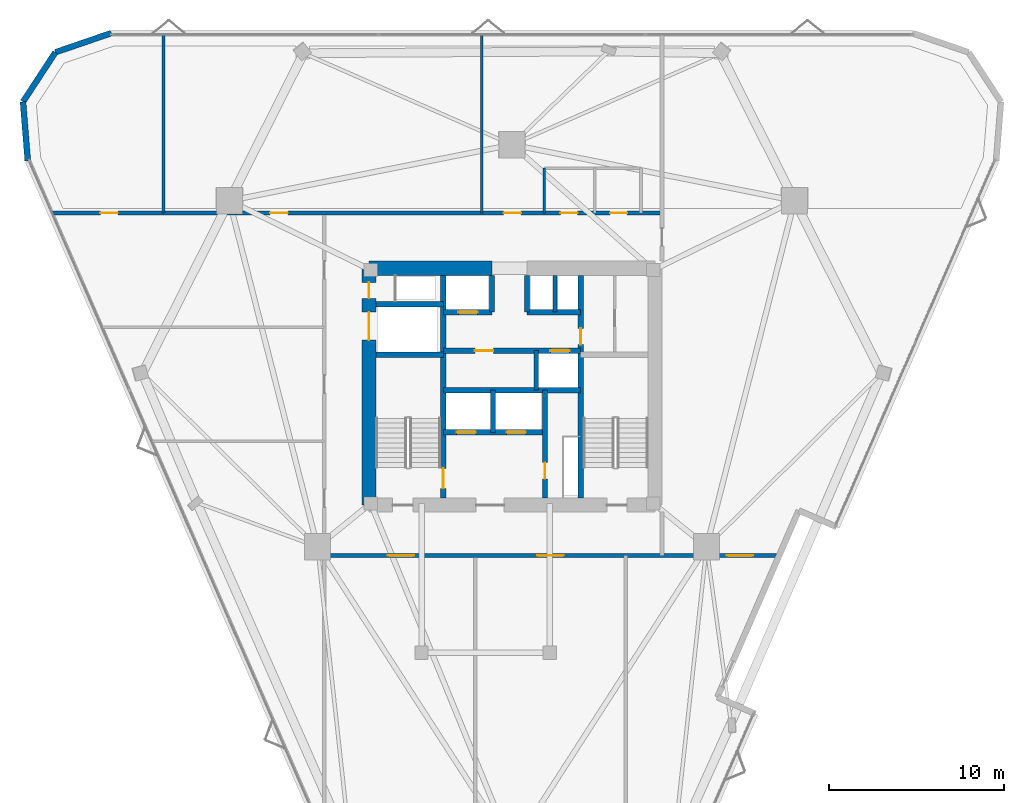
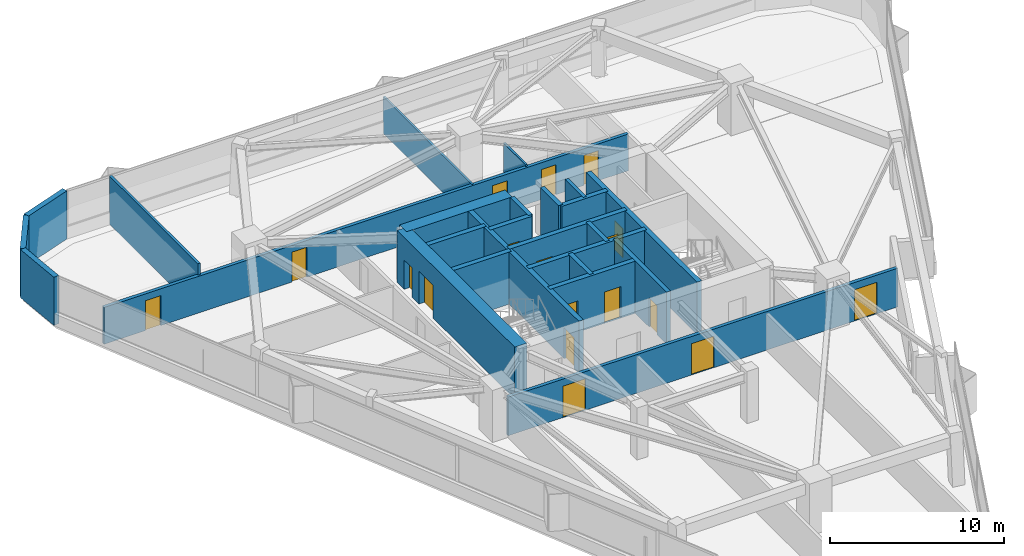
# One storey, part 8 of 12: 25 walls, 18 doors, 18 openings.
"""IFC4 building model written with IfcOpenShell, lengths in metres."""

from ifc_helpers import new_model, si_unit, direction, frame, frame_2d, origin, place, context, subcontext, project, spatial, rectangle, extrude, material, layer, layer_set, type_object, element, fill, save


model = new_model("IFC4")

# Units and contexts
model_context = context("Model", 3, precision=1e-05, world=origin(), true_north=direction((0.0, 1.0)))
body_context = subcontext(model_context, "Body", "Model", "MODEL_VIEW")
ifc_project = project(units=[si_unit("LENGTHUNIT", "METRE"), si_unit("AREAUNIT", "SQUARE_METRE"), si_unit("VOLUMEUNIT", "CUBIC_METRE"), si_unit("PLANEANGLEUNIT", "RADIAN"), si_unit("MASSUNIT", "GRAM", prefix="KILO")], contexts=[model_context])

# Site, building, storey
site_placement = place(None, origin())
site = spatial("IfcSite", under=ifc_project, at=site_placement, CompositionType="ELEMENT")
building_placement = place(site_placement, origin())
building = spatial("IfcBuilding", under=site, at=building_placement, Name="Talyreon Biosciences Tower", CompositionType="ELEMENT")
storey_placement = place(building_placement, frame((0.0, 0.0, 156.39990234375)))
storey = spatial("IfcBuildingStorey", under=building, at=storey_placement, Name="L41", CompositionType="ELEMENT", Elevation=156.39990234375)

# Walls
ifc_material_1 = material(Name="Concrete C50/60", Category="concrete")
ifc_layer_1 = layer(ifc_material_1, 0.219970703125)
ifc_layer_set_1 = layer_set([ifc_layer_1], Name="Concrete C50/60")
wall_type_1 = type_object("IfcWallType", Name="CoreShearWall_220", PredefinedType="SHEAR", material=ifc_layer_set_1)
wall_1_placement = place(storey_placement, frame((68.4599609375, 72.25, 0.0), z_axis=(0.0, 0.0, 1.0), x_axis=(0.0, 1.0, 0.0)))
element("IfcWall", 1, at=wall_1_placement, inside=storey, type_object=wall_type_1, Name="L41 Core Shaft Wall SWPHD", PredefinedType="SHEAR", context=body_context, shape_type="SweptSolid", body=[
    extrude(rectangle(XDim=2.10009765625, YDim=0.219970703125, at=frame_2d((1.050048828125, 0.0))), origin(), (0.0, 0.0, 1.0), 3.650146484375),
])
ifc_layer_2 = layer(ifc_material_1, 0.280029296875)
ifc_layer_set_2 = layer_set([ifc_layer_2], Name="Concrete C50/60")
wall_type_2 = type_object("IfcWallType", Name="CoreShearWall_280", PredefinedType="SHEAR", material=ifc_layer_set_2)
wall_2_placement = place(storey_placement, frame((64.919921875, 65.39990234375, 0.0), z_axis=(0.0, 0.0, 1.0), x_axis=(0.0, 1.0, 0.0)))
element("IfcWall", 2, at=wall_2_placement, inside=storey, type_object=wall_type_2, Name="L41 Core Shaft Wall SWSHD1", PredefinedType="SHEAR", context=body_context, shape_type="SweptSolid", body=[
    extrude(rectangle(XDim=2.400146484375, YDim=0.280029296875, at=frame_2d((1.2001953125, 0.0))), origin(), (0.0, 0.0, 1.0), 3.650146484375),
])
for number, where, z_axis, x_axis, name in (
    (3, (64.85009765625, 72.25, 0.0), (0.0, 0.0, 1.0), (0.0, 1.0, 0.0), "L41 Core Shaft Wall SWTHW"),
    (4, (66.85009765625, 72.25, 0.0), (0.0, 0.0, 1.0), (0.0, 1.0, 0.0), "L41 Core Shaft Wall SWTHE"),
):
    element("IfcWall", number, at=place(storey_placement, frame(where, z_axis=z_axis, x_axis=x_axis)), inside=storey, type_object=wall_type_2, Name=name, PredefinedType="SHEAR", context=body_context, shape_type="SweptSolid", body=[
        extrude(rectangle(XDim=2.10009765625, YDim=0.280029296875, at=frame_2d((1.050048828125, 0.0))), origin(), (0.0, 0.0, 1.0), 3.650146484375),
    ])

# Wall, opening, door
wall_3_placement = place(storey_placement, frame((67.8798828125, 61.64990234375, 0.0), z_axis=(0.0, 0.0, 1.0), x_axis=(0.0, 1.0, 0.0)))
wall_3 = element("IfcWall", 5, at=wall_3_placement, inside=storey, type_object=wall_type_2, Name="L41 Core Shaft Wall SWFFE", PredefinedType="SHEAR", context=body_context, shape_type="SweptSolid", body=[
    extrude(rectangle(XDim=6.150146484375, YDim=0.280029296875, at=frame_2d((3.0751953125, 0.0))), origin(), (0.0, 0.0, 1.0), 3.650146484375),
])
opening_1_placement = place(wall_3_placement, frame((1.10009765625, 0.0, 0.0)))
opening_1 = element("IfcOpeningElement", 6, at=opening_1_placement, cuts=wall_3, Name="Opening DR-L41-RSE", PredefinedType="OPENING", context=body_context, shape_type="SweptSolid", body=[
    extrude(rectangle(XDim=0.919921875, YDim=2.050048828125, at=frame_2d((0.4599609375, 1.02490234375))), frame((0.0, 0.14990234375, 0.0), z_axis=(0.0, -1.0, 0.0), x_axis=(1.0, 0.0, 0.0)), (0.0, 0.0, 1.0), 0.300048828125),
])
ifc_material_2 = material(Name="Painted steel fire-rated riser door", Category="steel")
door_type_1 = type_object("IfcDoorType", Name="RiserPlantAccessDoor_920x2050", OperationType="NOTDEFINED", PredefinedType="DOOR", material=ifc_material_2)
door_1_placement = place(opening_1_placement, origin())
door_1 = element("IfcDoor", 7, at=door_1_placement, inside=storey, type_object=door_type_1, Name="L41 Core Door DR-L41-RSE", OperationType="SINGLE_SWING_RIGHT", OverallHeight=2.050048828125, OverallWidth=0.919921875, PredefinedType="DOOR", context=body_context, shape_type="SweptSolid", body=[
    extrude(rectangle(XDim=0.919921875, YDim=2.050048828125, at=frame_2d((0.4599609375, 1.02490234375))), frame((0.0, 0.02490234375, 0.0), z_axis=(0.0, -1.0, 0.0), x_axis=(1.0, 0.0, 0.0)), (0.0, 0.0, 1.0), 0.050048828125),
])
fill(opening_1, door_1)

# Wall
wall_4_placement = place(storey_placement, frame((67.3798828125, 67.800048828125, 0.0), z_axis=(0.0, 0.0, 1.0), x_axis=(0.0, 1.0, 0.0)))
element("IfcWall", 8, at=wall_4_placement, inside=storey, type_object=wall_type_2, Name="L41 Core Shaft Wall SWPMD", PredefinedType="SHEAR", context=body_context, shape_type="SweptSolid", body=[
    extrude(rectangle(XDim=2.25, YDim=0.280029296875, at=frame_2d((1.125, 0.0))), origin(), (0.0, 0.0, 1.0), 3.650146484375),
])

# Wall, opening, door
ifc_layer_3 = layer(ifc_material_1, 0.320068359375)
ifc_layer_set_3 = layer_set([ifc_layer_3], Name="Concrete C50/60")
wall_type_3 = type_object("IfcWallType", Name="CoreShearWall_320", PredefinedType="SHEAR", material=ifc_layer_set_3)
wall_5_placement = place(storey_placement, frame((62.090087890625, 61.64990234375, 0.0), z_axis=(0.0, 0.0, 1.0), x_axis=(0.0, 1.0, 0.0)))
wall_5 = element("IfcWall", 9, at=wall_5_placement, inside=storey, type_object=wall_type_3, Name="L41 Core Shaft Wall SW1E", PredefinedType="SHEAR", context=body_context, shape_type="SweptSolid", body=[
    extrude(rectangle(XDim=12.7001953125, YDim=0.320068359375, at=frame_2d((6.35009765625, 0.0))), origin(), (0.0, 0.0, 1.0), 3.650146484375),
])
opening_2_placement = place(wall_5_placement, frame((0.550048828125, 0.0, 0.0)))
opening_2 = element("IfcOpeningElement", 10, at=opening_2_placement, cuts=wall_5, Name="Opening DR-L41-FF-ST1", PredefinedType="OPENING", context=body_context, shape_type="SweptSolid", body=[
    extrude(rectangle(XDim=1.14990234375, YDim=2.14990234375, at=frame_2d((0.574951171875, 1.074951171875))), frame((0.0, 0.169921875, 0.0), z_axis=(0.0, -1.0, 0.0), x_axis=(1.0, 0.0, 0.0)), (0.0, 0.0, 1.0), 0.340087890625),
])
ifc_material_3 = material(Name="Painted steel fire door", Category="steel")
door_type_2 = type_object("IfcDoorType", Name="StairShaftFireDoor_1150x2150", OperationType="NOTDEFINED", PredefinedType="DOOR", material=ifc_material_3)
door_2_placement = place(opening_2_placement, origin())
door_2 = element("IfcDoor", 11, at=door_2_placement, inside=storey, type_object=door_type_2, Name="L41 Core Door DR-L41-FF-ST1", OperationType="SINGLE_SWING_LEFT", OverallHeight=2.14990234375, OverallWidth=1.14990234375, PredefinedType="DOOR", context=body_context, shape_type="SweptSolid", body=[
    extrude(rectangle(XDim=1.14990234375, YDim=2.14990234375, at=frame_2d((0.574951171875, 1.074951171875))), frame((0.0, 0.02490234375, 0.0), z_axis=(0.0, -1.0, 0.0), x_axis=(1.0, 0.0, 0.0)), (0.0, 0.0, 1.0), 0.050048828125),
])
fill(opening_2, door_2)

wall_6_placement = place(storey_placement, frame((69.909912109375, 61.64990234375, 0.0), z_axis=(0.0, 0.0, 1.0), x_axis=(0.0, 1.0, 0.0)))
wall_6 = element("IfcWall", 12, at=wall_6_placement, inside=storey, type_object=wall_type_3, Name="L41 Core Shaft Wall SW2W", PredefinedType="SHEAR", context=body_context, shape_type="SweptSolid", body=[
    extrude(rectangle(XDim=12.7001953125, YDim=0.320068359375, at=frame_2d((6.35009765625, 0.0))), origin(), (0.0, 0.0, 1.0), 3.650146484375),
])
opening_3_placement = place(wall_6_placement, frame((8.75, 0.0, 0.0)))
opening_3 = element("IfcOpeningElement", 13, at=opening_3_placement, cuts=wall_6, Name="Opening DR-L41-CSRV", PredefinedType="OPENING", context=body_context, shape_type="SweptSolid", body=[
    extrude(rectangle(XDim=0.919921875, YDim=2.050048828125, at=frame_2d((0.4599609375, 1.02490234375))), frame((0.0, 0.169921875, 0.0), z_axis=(0.0, -1.0, 0.0), x_axis=(1.0, 0.0, 0.0)), (0.0, 0.0, 1.0), 0.340087890625),
])
door_3_placement = place(opening_3_placement, origin())
door_3 = element("IfcDoor", 14, at=door_3_placement, inside=storey, type_object=door_type_1, Name="L41 Core Door DR-L41-CSRV", OperationType="SINGLE_SWING_RIGHT", OverallHeight=2.050048828125, OverallWidth=0.919921875, PredefinedType="DOOR", context=body_context, shape_type="SweptSolid", body=[
    extrude(rectangle(XDim=0.919921875, YDim=2.050048828125, at=frame_2d((0.4599609375, 1.02490234375))), frame((0.0, 0.02490234375, 0.0), z_axis=(0.0, -1.0, 0.0), x_axis=(1.0, 0.0, 0.0)), (0.0, 0.0, 1.0), 0.050048828125),
])
fill(opening_3, door_3)

# Walls
for number, where, z_axis, x_axis, name in (
    (15, (58.25, 69.81005859375, 0.0), (0.0, 0.0, 1.0), (1.0, 0.0, 0.0), "L41 Core Shaft Wall SW1N"),
    (16, (58.25, 72.699951171875, 0.0), (0.0, 0.0, 1.0), (1.0, 0.0, 0.0), "L41 Core Shaft Wall SWGLN"),
):
    element("IfcWall", number, at=place(storey_placement, frame(where, z_axis=z_axis, x_axis=x_axis)), inside=storey, type_object=wall_type_3, Name=name, PredefinedType="SHEAR", context=body_context, shape_type="SweptSolid", body=[
        extrude(rectangle(XDim=3.840087890625, YDim=0.320068359375, at=frame_2d((1.919921875, 0.0))), origin(), (0.0, 0.0, 1.0), 3.650146484375),
    ])
wall_7_placement = place(storey_placement, frame((62.090087890625, 67.800048828125, 0.0), z_axis=(0.0, 0.0, 1.0), x_axis=(1.0, 0.0, 0.0)))
element("IfcWall", 17, at=wall_7_placement, inside=storey, type_object=wall_type_3, Name="L41 Core Shaft Wall SWSHM", PredefinedType="SHEAR", context=body_context, shape_type="SweptSolid", body=[
    extrude(rectangle(XDim=7.81982421875, YDim=0.320068359375, at=frame_2d((3.909912109375, 0.0))), origin(), (0.0, 0.0, 1.0), 3.650146484375),
])

# Wall, openings, doors
wall_8_placement = place(storey_placement, frame((62.090087890625, 70.050048828125, 0.0), z_axis=(0.0, 0.0, 1.0), x_axis=(1.0, 0.0, 0.0)))
wall_8 = element("IfcWall", 18, at=wall_8_placement, inside=storey, type_object=wall_type_3, Name="L41 Core Shaft Wall SWSPN", PredefinedType="SHEAR", context=body_context, shape_type="SweptSolid", body=[
    extrude(rectangle(XDim=7.81982421875, YDim=0.320068359375, at=frame_2d((3.909912109375, 0.0))), origin(), (0.0, 0.0, 1.0), 3.650146484375),
])
opening_4_placement = place(wall_8_placement, frame((1.800048828125, 0.0, 0.0)))
opening_4 = element("IfcOpeningElement", 19, at=opening_4_placement, cuts=wall_8, Name="Opening DR-L41-PLFREE-A", PredefinedType="OPENING", context=body_context, shape_type="SweptSolid", body=[
    extrude(rectangle(XDim=1.050048828125, YDim=2.14990234375, at=frame_2d((0.52490234375, 1.074951171875))), frame((0.0, 0.169921875, 0.0), z_axis=(0.0, -1.0, 0.0), x_axis=(1.0, 0.0, 0.0)), (0.0, 0.0, 1.0), 0.340087890625),
])
opening_5_placement = place(wall_8_placement, frame((6.10009765625, 0.0, 0.0)))
opening_5 = element("IfcOpeningElement", 20, at=opening_5_placement, cuts=wall_8, Name="Opening LD-L41-PM1", PredefinedType="OPENING", context=body_context, shape_type="SweptSolid", body=[
    extrude(rectangle(XDim=1.10009765625, YDim=2.199951171875, at=frame_2d((0.550048828125, 1.10009765625))), frame((0.0, 0.169921875, 0.0), z_axis=(0.0, -1.0, 0.0), x_axis=(1.0, 0.0, 0.0)), (0.0, 0.0, 1.0), 0.340087890625),
])
ifc_material_4 = material(Name="Acoustic timber-core laboratory door", Category="wood")
door_type_3 = type_object("IfcDoorType", Name="DryLabSingleDoor_1050x2150", OperationType="NOTDEFINED", PredefinedType="DOOR", material=ifc_material_4)
door_4_placement = place(opening_4_placement, origin())
door_4 = element("IfcDoor", 21, at=door_4_placement, inside=storey, type_object=door_type_3, Name="L41 Core Door DR-L41-PLFREE-A", OperationType="SINGLE_SWING_LEFT", OverallHeight=2.14990234375, OverallWidth=1.050048828125, PredefinedType="DOOR", context=body_context, shape_type="SweptSolid", body=[
    extrude(rectangle(XDim=1.050048828125, YDim=2.14990234375, at=frame_2d((0.52490234375, 1.074951171875))), frame((0.0, 0.02490234375, 0.0), z_axis=(0.0, -1.0, 0.0), x_axis=(1.0, 0.0, 0.0)), (0.0, 0.0, 1.0), 0.050048828125),
])
fill(opening_4, door_4)
ifc_material_5 = material(Name="Brushed stainless-steel lift landing door", Category="steel")
door_type_4 = type_object("IfcDoorType", Name="LiftSlidingLandingDoor_1100x2200", OperationType="SLIDING_TO_LEFT", PredefinedType="DOOR", material=ifc_material_5)
door_5_placement = place(opening_5_placement, origin())
door_5 = element("IfcDoor", 22, at=door_5_placement, inside=storey, type_object=door_type_4, Name="L41 Core Door LD-L41-PM1", OperationType="SLIDING_TO_LEFT", OverallHeight=2.199951171875, OverallWidth=1.10009765625, PredefinedType="DOOR", context=body_context, shape_type="SweptSolid", body=[
    extrude(rectangle(XDim=1.10009765625, YDim=2.199951171875, at=frame_2d((0.550048828125, 1.10009765625))), frame((0.0, 0.02490234375, 0.0), z_axis=(0.0, -1.0, 0.0), x_axis=(1.0, 0.0, 0.0)), (0.0, 0.0, 1.0), 0.050048828125),
])
fill(opening_5, door_5)

# Wall, opening, door
wall_9_placement = place(storey_placement, frame((62.090087890625, 72.25, 0.0), z_axis=(0.0, 0.0, 1.0), x_axis=(1.0, 0.0, 0.0)))
wall_9 = element("IfcWall", 23, at=wall_9_placement, inside=storey, type_object=wall_type_3, Name="L41 Core Shaft Wall SWNPW", PredefinedType="SHEAR", context=body_context, shape_type="SweptSolid", body=[
    extrude(rectangle(XDim=2.760009765625, YDim=0.320068359375, at=frame_2d((1.3798828125, 0.0))), origin(), (0.0, 0.0, 1.0), 3.650146484375),
])
opening_6_placement = place(wall_9_placement, frame((0.85009765625, 0.0, 0.0)))
opening_6 = element("IfcOpeningElement", 24, at=opening_6_placement, cuts=wall_9, Name="Opening LD-L41-PM2", PredefinedType="OPENING", context=body_context, shape_type="SweptSolid", body=[
    extrude(rectangle(XDim=1.10009765625, YDim=2.199951171875, at=frame_2d((0.550048828125, 1.10009765625))), frame((0.0, 0.169921875, 0.0), z_axis=(0.0, -1.0, 0.0), x_axis=(1.0, 0.0, 0.0)), (0.0, 0.0, 1.0), 0.340087890625),
])
door_6_placement = place(opening_6_placement, origin())
door_6 = element("IfcDoor", 25, at=door_6_placement, inside=storey, type_object=door_type_4, Name="L41 Core Door LD-L41-PM2", OperationType="SLIDING_TO_LEFT", OverallHeight=2.199951171875, OverallWidth=1.10009765625, PredefinedType="DOOR", context=body_context, shape_type="SweptSolid", body=[
    extrude(rectangle(XDim=1.10009765625, YDim=2.199951171875, at=frame_2d((0.550048828125, 1.10009765625))), frame((0.0, 0.02490234375, 0.0), z_axis=(0.0, -1.0, 0.0), x_axis=(1.0, 0.0, 0.0)), (0.0, 0.0, 1.0), 0.050048828125),
])
fill(opening_6, door_6)

# Wall
wall_10_placement = place(storey_placement, frame((66.85009765625, 72.25, 0.0), z_axis=(0.0, 0.0, 1.0), x_axis=(1.0, 0.0, 0.0)))
element("IfcWall", 26, at=wall_10_placement, inside=storey, type_object=wall_type_3, Name="L41 Core Shaft Wall SWNPE", PredefinedType="SHEAR", context=body_context, shape_type="SweptSolid", body=[
    extrude(rectangle(XDim=3.059814453125, YDim=0.320068359375, at=frame_2d((1.52978515625, 0.0))), origin(), (0.0, 0.0, 1.0), 3.650146484375),
])

# Wall, openings, doors
wall_11_placement = place(storey_placement, frame((62.090087890625, 65.39990234375, 0.0), z_axis=(0.0, 0.0, 1.0), x_axis=(1.0, 0.0, 0.0)))
wall_11 = element("IfcWall", 27, at=wall_11_placement, inside=storey, type_object=wall_type_3, Name="L41 Core Shaft Wall SWFFN", PredefinedType="SHEAR", context=body_context, shape_type="SweptSolid", body=[
    extrude(rectangle(XDim=5.789794921875, YDim=0.320068359375, at=frame_2d((2.89501953125, 0.0))), origin(), (0.0, 0.0, 1.0), 3.650146484375),
])
opening_7_placement = place(wall_11_placement, frame((0.75, 0.0, 0.0)))
opening_7 = element("IfcOpeningElement", 28, at=opening_7_placement, cuts=wall_11, Name="Opening LD-L41-FL1", PredefinedType="OPENING", context=body_context, shape_type="SweptSolid", body=[
    extrude(rectangle(XDim=1.10009765625, YDim=2.199951171875, at=frame_2d((0.550048828125, 1.10009765625))), frame((0.0, 0.169921875, 0.0), z_axis=(0.0, -1.0, 0.0), x_axis=(1.0, 0.0, 0.0)), (0.0, 0.0, 1.0), 0.340087890625),
])
opening_8_placement = place(wall_11_placement, frame((3.60009765625, 0.0, 0.0)))
opening_8 = element("IfcOpeningElement", 29, at=opening_8_placement, cuts=wall_11, Name="Opening LD-L41-FL2", PredefinedType="OPENING", context=body_context, shape_type="SweptSolid", body=[
    extrude(rectangle(XDim=1.10009765625, YDim=2.199951171875, at=frame_2d((0.550048828125, 1.10009765625))), frame((0.0, 0.169921875, 0.0), z_axis=(0.0, -1.0, 0.0), x_axis=(1.0, 0.0, 0.0)), (0.0, 0.0, 1.0), 0.340087890625),
])
door_7_placement = place(opening_7_placement, origin())
door_7 = element("IfcDoor", 30, at=door_7_placement, inside=storey, type_object=door_type_4, Name="L41 Core Door LD-L41-FL1", OperationType="SLIDING_TO_LEFT", OverallHeight=2.199951171875, OverallWidth=1.10009765625, PredefinedType="DOOR", context=body_context, shape_type="SweptSolid", body=[
    extrude(rectangle(XDim=1.10009765625, YDim=2.199951171875, at=frame_2d((0.550048828125, 1.10009765625))), frame((0.0, 0.02490234375, 0.0), z_axis=(0.0, -1.0, 0.0), x_axis=(1.0, 0.0, 0.0)), (0.0, 0.0, 1.0), 0.050048828125),
])
fill(opening_7, door_7)
door_8_placement = place(opening_8_placement, origin())
door_8 = element("IfcDoor", 31, at=door_8_placement, inside=storey, type_object=door_type_4, Name="L41 Core Door LD-L41-FL2", OperationType="SLIDING_TO_LEFT", OverallHeight=2.199951171875, OverallWidth=1.10009765625, PredefinedType="DOOR", context=body_context, shape_type="SweptSolid", body=[
    extrude(rectangle(XDim=1.10009765625, YDim=2.199951171875, at=frame_2d((0.550048828125, 1.10009765625))), frame((0.0, 0.02490234375, 0.0), z_axis=(0.0, -1.0, 0.0), x_axis=(1.0, 0.0, 0.0)), (0.0, 0.0, 1.0), 0.050048828125),
])
fill(opening_8, door_8)

# Wall
ifc_material_6 = material(Name="Concrete C60/75", Category="concrete")
ifc_layer_4 = layer(ifc_material_6, 0.800048828125)
ifc_layer_set_4 = layer_set([ifc_layer_4], Name="Concrete C60/75")
wall_type_4 = type_object("IfcWallType", Name="CoreShearWall_800", PredefinedType="SHEAR", material=ifc_layer_set_4)
wall_12_placement = place(storey_placement, frame((64.85009765625, 74.75, 0.0), z_axis=(0.0, 0.0, 1.0), x_axis=(-1.0, 0.0, 0.0)))
element("IfcWall", 32, at=wall_12_placement, inside=storey, type_object=wall_type_4, Name="L41 Core Shear Wall NW", PredefinedType="SHEAR", context=body_context, shape_type="SweptSolid", body=[
    extrude(rectangle(XDim=7.0, YDim=0.800048828125, at=frame_2d((3.5, 0.0))), origin(), (0.0, 0.0, 1.0), 3.650146484375),
])

# Wall, openings, doors
wall_13_placement = place(storey_placement, frame((57.85009765625, 74.75, 0.0), z_axis=(0.0, 0.0, 1.0), x_axis=(0.0, -1.0, 0.0)))
wall_13 = element("IfcWall", 33, at=wall_13_placement, inside=storey, type_object=wall_type_4, Name="L41 Core Shear Wall W", PredefinedType="SHEAR", context=body_context, shape_type="SweptSolid", body=[
    extrude(rectangle(XDim=13.5, YDim=0.800048828125, at=frame_2d((6.75, 0.0))), origin(), (0.0, 0.0, 1.0), 3.650146484375),
])
opening_9_placement = place(wall_13_placement, frame((0.800048828125, 0.0, 0.0)))
opening_9 = element("IfcOpeningElement", 34, at=opening_9_placement, cuts=wall_13, Name="Opening DR-L41-RSW", PredefinedType="OPENING", context=body_context, shape_type="SweptSolid", body=[
    extrude(rectangle(XDim=0.919921875, YDim=2.050048828125, at=frame_2d((0.4599609375, 1.02490234375))), frame((0.0, 0.409912109375, 0.0), z_axis=(0.0, -1.0, 0.0), x_axis=(1.0, 0.0, 0.0)), (0.0, 0.0, 1.0), 0.820068359375),
])
opening_10_placement = place(wall_13_placement, frame((2.5, 0.0, 0.0)))
opening_10 = element("IfcOpeningElement", 35, at=opening_10_placement, cuts=wall_13, Name="Opening LD-L41-GL1", PredefinedType="OPENING", context=body_context, shape_type="SweptSolid", body=[
    extrude(rectangle(XDim=1.60009765625, YDim=2.300048828125, at=frame_2d((0.800048828125, 1.14990234375))), frame((0.0, 0.409912109375, 0.0), z_axis=(0.0, -1.0, 0.0), x_axis=(1.0, 0.0, 0.0)), (0.0, 0.0, 1.0), 0.820068359375),
])
ifc_material_7 = material(Name="Heavy-duty stainless-steel goods lift door", Category="steel")
door_type_5 = type_object("IfcDoorType", Name="GoodsLiftSlidingDoor_1600x2300", OperationType="DOUBLE_DOOR_SLIDING", PredefinedType="DOOR", material=ifc_material_7)
door_9_placement = place(opening_10_placement, origin())
door_9 = element("IfcDoor", 36, at=door_9_placement, inside=storey, type_object=door_type_5, Name="L41 Core Door LD-L41-GL1", OperationType="DOUBLE_DOOR_SLIDING", OverallHeight=2.300048828125, OverallWidth=1.60009765625, PredefinedType="DOOR", context=body_context, shape_type="SweptSolid", body=[
    extrude(rectangle(XDim=1.60009765625, YDim=2.300048828125, at=frame_2d((0.800048828125, 1.14990234375))), frame((0.0, 0.02490234375, 0.0), z_axis=(0.0, -1.0, 0.0), x_axis=(1.0, 0.0, 0.0)), (0.0, 0.0, 1.0), 0.050048828125),
])
fill(opening_10, door_9)
door_10_placement = place(opening_9_placement, origin())
door_10 = element("IfcDoor", 37, at=door_10_placement, inside=storey, type_object=door_type_1, Name="L41 Core Door DR-L41-RSW", OperationType="SINGLE_SWING_LEFT", OverallHeight=2.050048828125, OverallWidth=0.919921875, PredefinedType="DOOR", context=body_context, shape_type="SweptSolid", body=[
    extrude(rectangle(XDim=0.919921875, YDim=2.050048828125, at=frame_2d((0.4599609375, 1.02490234375))), frame((0.0, 0.02490234375, 0.0), z_axis=(0.0, -1.0, 0.0), x_axis=(1.0, 0.0, 0.0)), (0.0, 0.0, 1.0), 0.050048828125),
])
fill(opening_9, door_10)

ifc_material_8 = material(Name="Gypsum fireboard acoustic stud", Category="gypsum")
ifc_layer_5 = layer(ifc_material_8, 0.219970703125)
ifc_layer_set_5 = layer_set([ifc_layer_5], Name="Gypsum fireboard acoustic stud")
wall_type_5 = type_object("IfcWallType", Name="CorridorRatedPartition_220", PredefinedType="PARTITIONING", material=ifc_layer_set_5)
wall_14_placement = place(storey_placement, frame((39.79541015625, 77.89990234375, 0.0), z_axis=(0.0, 0.0, 1.0), x_axis=(1.0, 0.0, 0.0)))
wall_14 = element("IfcWall", 38, at=wall_14_placement, inside=storey, type_object=wall_type_5, Name="L41 Interior Wall IW-L41-COR-N", PredefinedType="PARTITIONING", context=body_context, shape_type="SweptSolid", body=[
    extrude(rectangle(XDim=34.754638671875, YDim=0.219970703125, at=frame_2d((17.37744140625, 0.0))), origin(), (0.0, 0.0, 1.0), 2.5751953125),
])
opening_11_placement = place(wall_14_placement, frame((28.965087890625, 0.0, 0.0)))
opening_11 = element("IfcOpeningElement", 39, at=opening_11_placement, cuts=wall_14, Name="Opening DR-L41-WC", PredefinedType="OPENING", context=body_context, shape_type="SweptSolid", body=[
    extrude(rectangle(XDim=0.97998046875, YDim=2.10009765625, at=frame_2d((0.489990234375, 1.050048828125))), frame((0.0, 0.119873046875, 0.0), z_axis=(0.0, -1.0, 0.0), x_axis=(1.0, 0.0, 0.0)), (0.0, 0.0, 1.0), 0.239990234375),
])
opening_12_placement = place(wall_14_placement, frame((31.7900390625, 0.0, 0.0)))
opening_12 = element("IfcOpeningElement", 40, at=opening_12_placement, cuts=wall_14, Name="Opening DR-L41-AWC", PredefinedType="OPENING", context=body_context, shape_type="SweptSolid", body=[
    extrude(rectangle(XDim=0.97998046875, YDim=2.10009765625, at=frame_2d((0.489990234375, 1.050048828125))), frame((0.0, 0.119873046875, 0.0), z_axis=(0.0, -1.0, 0.0), x_axis=(1.0, 0.0, 0.0)), (0.0, 0.0, 1.0), 0.239990234375),
])
opening_13_placement = place(wall_14_placement, frame((2.75, 0.0, 0.0)))
opening_13 = element("IfcOpeningElement", 41, at=opening_13_placement, cuts=wall_14, Name="Opening DR-L41-N1A", PredefinedType="OPENING", context=body_context, shape_type="SweptSolid", body=[
    extrude(rectangle(XDim=1.0, YDim=2.10009765625, at=frame_2d((0.5, 1.050048828125))), frame((0.0, 0.119873046875, 0.0), z_axis=(0.0, -1.0, 0.0), x_axis=(1.0, 0.0, 0.0)), (0.0, 0.0, 1.0), 0.239990234375),
])
opening_14_placement = place(wall_14_placement, frame((12.428955078125, 0.0, 0.0)))
opening_14 = element("IfcOpeningElement", 42, at=opening_14_placement, cuts=wall_14, Name="Opening DR-L41-N2A", PredefinedType="OPENING", context=body_context, shape_type="SweptSolid", body=[
    extrude(rectangle(XDim=1.0, YDim=2.10009765625, at=frame_2d((0.5, 1.050048828125))), frame((0.0, 0.119873046875, 0.0), z_axis=(0.0, -1.0, 0.0), x_axis=(1.0, 0.0, 0.0)), (0.0, 0.0, 1.0), 0.239990234375),
])
opening_15_placement = place(wall_14_placement, frame((25.73095703125, 0.0, 0.0)))
opening_15 = element("IfcOpeningElement", 43, at=opening_15_placement, cuts=wall_14, Name="Opening DR-L41-N3A", PredefinedType="OPENING", context=body_context, shape_type="SweptSolid", body=[
    extrude(rectangle(XDim=1.0, YDim=2.10009765625, at=frame_2d((0.5, 1.050048828125))), frame((0.0, 0.119873046875, 0.0), z_axis=(0.0, -1.0, 0.0), x_axis=(1.0, 0.0, 0.0)), (0.0, 0.0, 1.0), 0.239990234375),
])
ifc_material_9 = material(Name="Laminate moisture-resistant door", Category="wood")
door_type_6 = type_object("IfcDoorType", Name="AccessibleToiletDoor_980x2100", OperationType="NOTDEFINED", PredefinedType="DOOR", material=ifc_material_9)
door_11_placement = place(opening_11_placement, origin())
door_11 = element("IfcDoor", 44, at=door_11_placement, inside=storey, type_object=door_type_6, Name="L41 Interior Door DR-L41-WC", OperationType="SINGLE_SWING_RIGHT", OverallHeight=2.10009765625, OverallWidth=0.97998046875, PredefinedType="DOOR", context=body_context, shape_type="SweptSolid", body=[
    extrude(rectangle(XDim=0.97998046875, YDim=2.10009765625, at=frame_2d((0.489990234375, 1.050048828125))), frame((0.0, 0.02490234375, 0.0), z_axis=(0.0, -1.0, 0.0), x_axis=(1.0, 0.0, 0.0)), (0.0, 0.0, 1.0), 0.050048828125),
])
fill(opening_11, door_11)
door_12_placement = place(opening_12_placement, origin())
door_12 = element("IfcDoor", 45, at=door_12_placement, inside=storey, type_object=door_type_6, Name="L41 Interior Door DR-L41-AWC", OperationType="SINGLE_SWING_LEFT", OverallHeight=2.10009765625, OverallWidth=0.97998046875, PredefinedType="DOOR", context=body_context, shape_type="SweptSolid", body=[
    extrude(rectangle(XDim=0.97998046875, YDim=2.10009765625, at=frame_2d((0.489990234375, 1.050048828125))), frame((0.0, 0.02490234375, 0.0), z_axis=(0.0, -1.0, 0.0), x_axis=(1.0, 0.0, 0.0)), (0.0, 0.0, 1.0), 0.050048828125),
])
fill(opening_12, door_12)
ifc_material_10 = material(Name="Acoustic oak veneer office door", Category="wood")
door_type_7 = type_object("IfcDoorType", Name="WriteupOfficeDoor_1000x2100", OperationType="NOTDEFINED", PredefinedType="DOOR", material=ifc_material_10)
door_13_placement = place(opening_13_placement, origin())
door_13 = element("IfcDoor", 46, at=door_13_placement, inside=storey, type_object=door_type_7, Name="L41 Interior Door DR-L41-N1A", OperationType="SINGLE_SWING_RIGHT", OverallHeight=2.10009765625, OverallWidth=1.0, PredefinedType="DOOR", context=body_context, shape_type="SweptSolid", body=[
    extrude(rectangle(XDim=1.0, YDim=2.10009765625, at=frame_2d((0.5, 1.050048828125))), frame((0.0, 0.02490234375, 0.0), z_axis=(0.0, -1.0, 0.0), x_axis=(1.0, 0.0, 0.0)), (0.0, 0.0, 1.0), 0.050048828125),
])
fill(opening_13, door_13)
door_14_placement = place(opening_14_placement, origin())
door_14 = element("IfcDoor", 47, at=door_14_placement, inside=storey, type_object=door_type_7, Name="L41 Interior Door DR-L41-N2A", OperationType="SINGLE_SWING_RIGHT", OverallHeight=2.10009765625, OverallWidth=1.0, PredefinedType="DOOR", context=body_context, shape_type="SweptSolid", body=[
    extrude(rectangle(XDim=1.0, YDim=2.10009765625, at=frame_2d((0.5, 1.050048828125))), frame((0.0, 0.02490234375, 0.0), z_axis=(0.0, -1.0, 0.0), x_axis=(1.0, 0.0, 0.0)), (0.0, 0.0, 1.0), 0.050048828125),
])
fill(opening_14, door_14)
door_15_placement = place(opening_15_placement, origin())
door_15 = element("IfcDoor", 48, at=door_15_placement, inside=storey, type_object=door_type_7, Name="L41 Interior Door DR-L41-N3A", OperationType="SINGLE_SWING_LEFT", OverallHeight=2.10009765625, OverallWidth=1.0, PredefinedType="DOOR", context=body_context, shape_type="SweptSolid", body=[
    extrude(rectangle(XDim=1.0, YDim=2.10009765625, at=frame_2d((0.5, 1.050048828125))), frame((0.0, 0.02490234375, 0.0), z_axis=(0.0, -1.0, 0.0), x_axis=(1.0, 0.0, 0.0)), (0.0, 0.0, 1.0), 0.050048828125),
])
fill(opening_15, door_15)

wall_15_placement = place(storey_placement, frame((55.300048828125, 58.3798828125, 0.0), z_axis=(0.0, 0.0, 1.0), x_axis=(1.0, 0.0, 0.0)))
wall_15 = element("IfcWall", 49, at=wall_15_placement, inside=storey, type_object=wall_type_5, Name="L41 Interior Wall IW-L41-COR-S", PredefinedType="PARTITIONING", context=body_context, shape_type="SweptSolid", body=[
    extrude(rectangle(XDim=25.83447265625, YDim=0.219970703125, at=frame_2d((12.917236328125, 0.0))), origin(), (0.0, 0.0, 1.0), 2.705078125),
])
opening_16_placement = place(wall_15_placement, frame((3.62109375, 0.0, 0.0)))
opening_16 = element("IfcOpeningElement", 50, at=opening_16_placement, cuts=wall_15, Name="Opening DR-L41-S1A", PredefinedType="OPENING", context=body_context, shape_type="SweptSolid", body=[
    extrude(rectangle(XDim=1.5, YDim=2.199951171875, at=frame_2d((0.75, 1.10009765625))), frame((0.0, 0.119873046875, 0.0), z_axis=(0.0, -1.0, 0.0), x_axis=(1.0, 0.0, 0.0)), (0.0, 0.0, 1.0), 0.239990234375),
])
opening_17_placement = place(wall_15_placement, frame((12.137939453125, 0.0, 0.0)))
opening_17 = element("IfcOpeningElement", 51, at=opening_17_placement, cuts=wall_15, Name="Opening DR-L41-S2A", PredefinedType="OPENING", context=body_context, shape_type="SweptSolid", body=[
    extrude(rectangle(XDim=1.5, YDim=2.199951171875, at=frame_2d((0.75, 1.10009765625))), frame((0.0, 0.119873046875, 0.0), z_axis=(0.0, -1.0, 0.0), x_axis=(1.0, 0.0, 0.0)), (0.0, 0.0, 1.0), 0.239990234375),
])
opening_18_placement = place(wall_15_placement, frame((22.945068359375, 0.0, 0.0)))
opening_18 = element("IfcOpeningElement", 52, at=opening_18_placement, cuts=wall_15, Name="Opening DR-L41-S3A", PredefinedType="OPENING", context=body_context, shape_type="SweptSolid", body=[
    extrude(rectangle(XDim=1.5, YDim=2.199951171875, at=frame_2d((0.75, 1.10009765625))), frame((0.0, 0.119873046875, 0.0), z_axis=(0.0, -1.0, 0.0), x_axis=(1.0, 0.0, 0.0)), (0.0, 0.0, 1.0), 0.239990234375),
])
ifc_material_11 = material(Name="Vision-panel steel laboratory fire door", Category="steel")
door_type_8 = type_object("IfcDoorType", Name="WetLabDoubleLeafDoor_1500x2200", OperationType="DOUBLE_DOOR_SINGLE_SWING", PredefinedType="DOOR", material=ifc_material_11)
door_16_placement = place(opening_16_placement, origin())
door_16 = element("IfcDoor", 53, at=door_16_placement, inside=storey, type_object=door_type_8, Name="L41 Interior Door DR-L41-S1A", OperationType="DOUBLE_DOOR_SINGLE_SWING", OverallHeight=2.199951171875, OverallWidth=1.5, PredefinedType="DOOR", context=body_context, shape_type="SweptSolid", body=[
    extrude(rectangle(XDim=1.5, YDim=2.199951171875, at=frame_2d((0.75, 1.10009765625))), frame((0.0, 0.02490234375, 0.0), z_axis=(0.0, -1.0, 0.0), x_axis=(1.0, 0.0, 0.0)), (0.0, 0.0, 1.0), 0.050048828125),
])
fill(opening_16, door_16)
door_17_placement = place(opening_17_placement, origin())
door_17 = element("IfcDoor", 54, at=door_17_placement, inside=storey, type_object=door_type_8, Name="L41 Interior Door DR-L41-S2A", OperationType="DOUBLE_DOOR_SINGLE_SWING", OverallHeight=2.199951171875, OverallWidth=1.5, PredefinedType="DOOR", context=body_context, shape_type="SweptSolid", body=[
    extrude(rectangle(XDim=1.5, YDim=2.199951171875, at=frame_2d((0.75, 1.10009765625))), frame((0.0, 0.02490234375, 0.0), z_axis=(0.0, -1.0, 0.0), x_axis=(1.0, 0.0, 0.0)), (0.0, 0.0, 1.0), 0.050048828125),
])
fill(opening_17, door_17)
door_18_placement = place(opening_18_placement, origin())
door_18 = element("IfcDoor", 55, at=door_18_placement, inside=storey, type_object=door_type_8, Name="L41 Interior Door DR-L41-S3A", OperationType="DOUBLE_DOOR_SINGLE_SWING", OverallHeight=2.199951171875, OverallWidth=1.5, PredefinedType="DOOR", context=body_context, shape_type="SweptSolid", body=[
    extrude(rectangle(XDim=1.5, YDim=2.199951171875, at=frame_2d((0.75, 1.10009765625))), frame((0.0, 0.02490234375, 0.0), z_axis=(0.0, -1.0, 0.0), x_axis=(1.0, 0.0, 0.0)), (0.0, 0.0, 1.0), 0.050048828125),
])
fill(opening_18, door_18)

# Walls
ifc_material_12 = material(Name="Gypsum acoustic stud partition", Category="gypsum")
ifc_layer_6 = layer(ifc_material_12, 0.159912109375)
ifc_layer_set_6 = layer_set([ifc_layer_6], Name="Gypsum acoustic stud partition")
wall_type_6 = type_object("IfcWallType", Name="LabSeparationPartition_160", PredefinedType="PARTITIONING", material=ifc_layer_set_6)
wall_16_placement = place(storey_placement, frame((46.14599609375, 77.89990234375, 0.0), z_axis=(0.0, 0.0, 1.0), x_axis=(0.0, 1.0, 0.0)))
element("IfcWall", 56, at=wall_16_placement, inside=storey, type_object=wall_type_6, Name="L41 Interior Wall IW-L41-NDIV1", PredefinedType="PARTITIONING", context=body_context, shape_type="SweptSolid", body=[
    extrude(rectangle(XDim=10.16748046875, YDim=0.159912109375, at=frame_2d((5.083740234375, 0.0))), origin(), (0.0, 0.0, 1.0), 3.375),
])
ifc_layer_7 = layer(ifc_material_12, 0.1298828125)
ifc_layer_set_7 = layer_set([ifc_layer_7], Name="Gypsum acoustic stud partition")
wall_type_7 = type_object("IfcWallType", Name="OfficeWriteupPartition_130", PredefinedType="PARTITIONING", material=ifc_layer_set_7)
wall_17_placement = place(storey_placement, frame((64.281982421875, 77.89990234375, 0.0), z_axis=(0.0, 0.0, 1.0), x_axis=(0.0, 1.0, 0.0)))
element("IfcWall", 57, at=wall_17_placement, inside=storey, type_object=wall_type_7, Name="L41 Interior Wall IW-L41-NDIV2", PredefinedType="PARTITIONING", context=body_context, shape_type="SweptSolid", body=[
    extrude(rectangle(XDim=10.16748046875, YDim=0.1298828125, at=frame_2d((5.083740234375, 0.0))), origin(), (0.0, 0.0, 1.0), 2.5751953125),
])
ifc_material_13 = material(Name="Precast concrete C45/55", Category="concrete")
ifc_layer_8 = layer(ifc_material_13, 0.340087890625)
ifc_layer_set_8 = layer_set([ifc_layer_8], Name="Precast concrete C45/55")
wall_type_8 = type_object("IfcWallType", Name="PrecastConcreteSpandrelWall_340", PredefinedType="STANDARD", material=ifc_layer_set_8)
for number, where, z_axis, x_axis, name in (
    (58, (38.406005859375, 80.875, 0.0), (0.0, 0.0, 1.0), (-0.080559330796, 0.99674981526, 0.0), "L41 Rounded-Corner Concrete Pier 00"),
    (59, (38.13427734375, 84.237060546875, 0.0), (0.0, 0.0, 1.0), (0.547933698605, 0.836521764172, 0.0), "L41 Rounded-Corner Concrete Pier 01"),
    (60, (39.982421875, 87.05859375, 0.0), (0.0, 0.0, 1.0), (0.945941504684, 0.324337277717, 0.0), "L41 Rounded-Corner Concrete Pier 02"),
):
    element("IfcWall", number, at=place(storey_placement, frame(where, z_axis=z_axis, x_axis=x_axis)), inside=storey, type_object=wall_type_8, Name=name, PredefinedType="STANDARD", context=body_context, shape_type="SweptSolid", body=[
        extrude(rectangle(XDim=3.373046875, YDim=0.340087890625, at=frame_2d((1.6865234375, 0.0))), origin(), (0.0, 0.0, 1.0), 3.375),
    ])
ifc_material_14 = material(Name="Moisture-resistant cement-board stud", Category="gypsum")
ifc_layer_9 = layer(ifc_material_14, 0.14501953125)
ifc_layer_set_9 = layer_set([ifc_layer_9], Name="Moisture-resistant cement-board stud")
wall_type_9 = type_object("IfcWallType", Name="WetRoomPartition_145", PredefinedType="PARTITIONING", material=ifc_layer_set_9)
wall_18_placement = place(storey_placement, frame((67.85009765625, 77.89990234375, 0.0), z_axis=(0.0, 0.0, 1.0), x_axis=(0.0, 1.0, 0.0)))
element("IfcWall", 61, at=wall_18_placement, inside=storey, type_object=wall_type_9, Name="L41 Interior Wall IW-L41-WCL", PredefinedType="PARTITIONING", context=body_context, shape_type="SweptSolid", body=[
    extrude(rectangle(XDim=2.550048828125, YDim=0.14501953125, at=frame_2d((1.27490234375, 0.0))), origin(), (0.0, 0.0, 1.0), 2.705078125),
])

save(model, "model.ifc")
